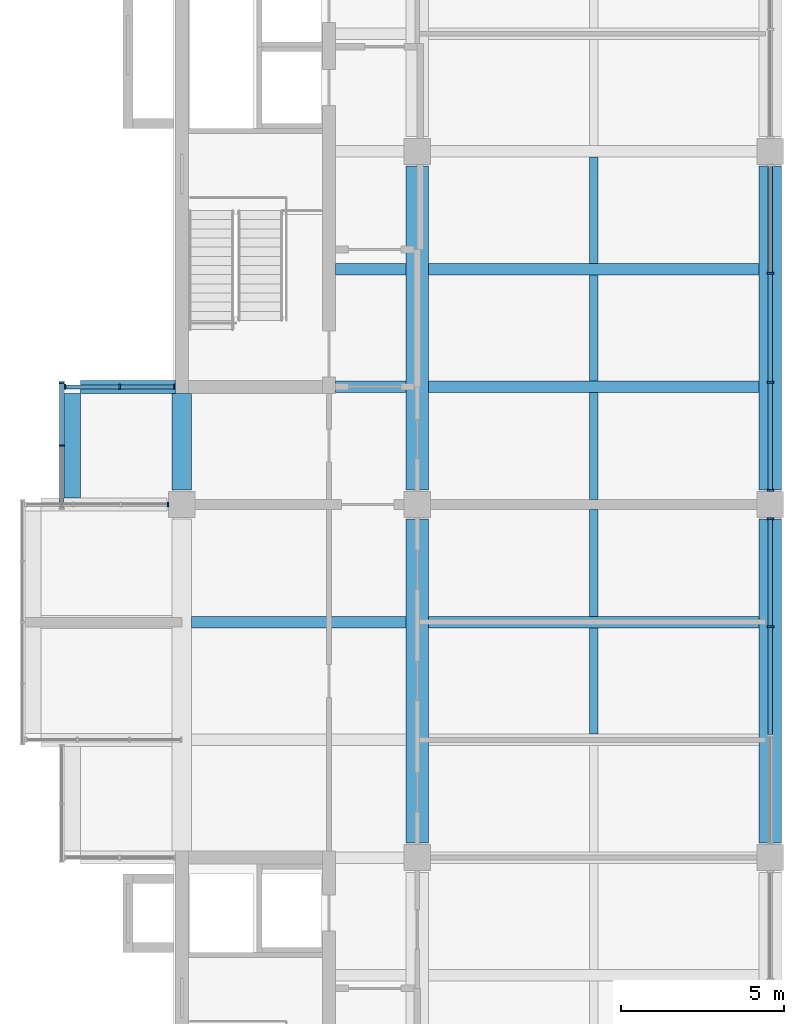
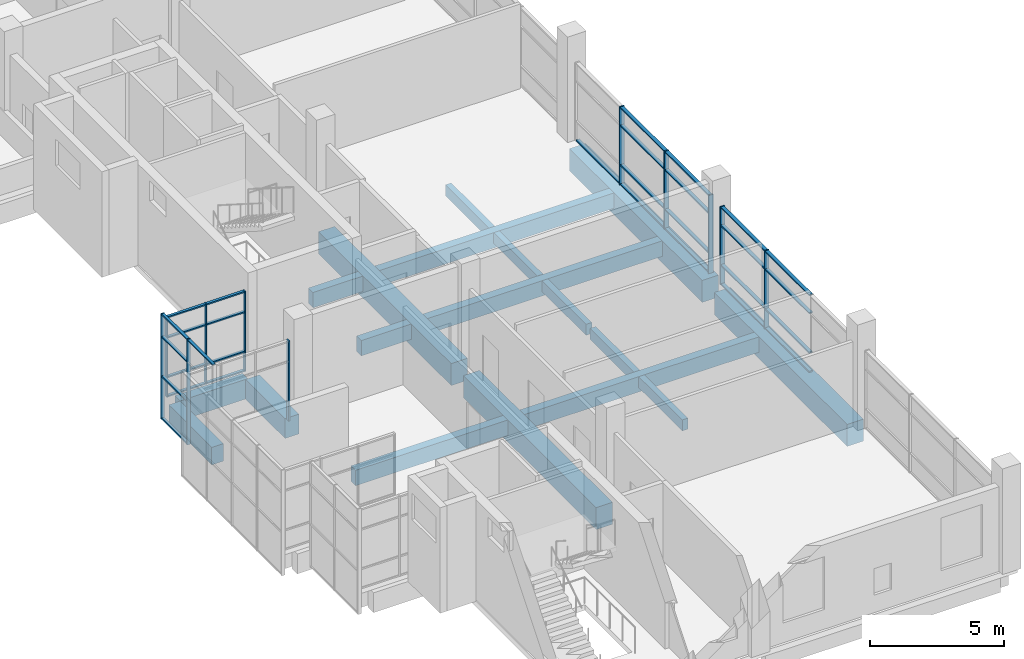
# One storey, part 4 of 14: 41 members, 18 beams, 5 elements without a shape of their own.
"""IFC4 building model written with IfcOpenShell, lengths in metres."""

from ifc_helpers import new_model, si_unit, direction, frame, origin, origin_2d, place, context, subcontext, project, spatial, rectangle, extrude, material, layer, layer_set, material_profile, profile_set, type_object, element, aggregate, save


model = new_model("IFC4")

# Units and contexts
model_context = context("Model", 3, precision=1e-05, world=origin(), true_north=direction((0.0, 1.0)))
body_context = subcontext(model_context, "Body", "Model", "MODEL_VIEW")
ifc_project = project(units=[si_unit("LENGTHUNIT", "METRE"), si_unit("AREAUNIT", "SQUARE_METRE"), si_unit("VOLUMEUNIT", "CUBIC_METRE"), si_unit("PLANEANGLEUNIT", "RADIAN"), si_unit("MASSUNIT", "GRAM", prefix="KILO")], contexts=[model_context])

# Site, building, storey
site_placement = place(None, origin())
site = spatial("IfcSite", under=ifc_project, at=site_placement, CompositionType="ELEMENT")
building_placement = place(site_placement, origin())
building = spatial("IfcBuilding", under=site, at=building_placement, Name="Basin Gate Institute", CompositionType="ELEMENT")
storey_placement = place(building_placement, frame((0.0, 0.0, 60.60009765625)))
storey = spatial("IfcBuildingStorey", under=building, at=storey_placement, Name="L12", CompositionType="ELEMENT", Elevation=60.60009765625)

# Beams
ifc_material_1 = material(Name="Concrete 40 MPa", Category="concrete")
ifc_material_profile_1 = material_profile(ifc_material_1, rectangle(XDim=0.35009765625, YDim=0.699951171875, at=origin_2d()), Name="Beam B1 350 x 700")
ifc_profile_set_1 = profile_set([ifc_material_profile_1], Name="Concrete 40 MPa")
beam_type_1 = type_object("IfcBeamType", Name="Beam B1 R120", PredefinedType="BEAM", material=ifc_profile_set_1)
beam_1_placement = place(storey_placement, frame((68.75, 53.10009765625, -0.60009765625), z_axis=(1.0, 0.0, 0.0), x_axis=(0.0, 1.0, 0.0)))
element("IfcBeam", 1, at=beam_1_placement, inside=storey, type_object=beam_type_1, material=ifc_profile_set_1, Name="BEAM/L12/W/EW/06", PredefinedType="BEAM", context=body_context, shape_type="SweptSolid", body=[
    extrude(rectangle(XDim=0.35009765625, YDim=0.699951171875, at=origin_2d()), origin(), (0.0, 0.0, 1.0), 10.10009765625),
])
beam_2_placement = place(storey_placement, frame((61.5, 53.10009765625, -0.60009765625), z_axis=(1.0, 0.0, 0.0), x_axis=(0.0, 1.0, 0.0)))
element("IfcBeam", 2, at=beam_2_placement, inside=storey, type_object=beam_type_1, material=ifc_profile_set_1, Name="BEAM/L12/W/OUT/06", PredefinedType="BEAM", context=body_context, shape_type="SweptSolid", body=[
    extrude(rectangle(XDim=0.35009765625, YDim=0.699951171875, at=origin_2d()), origin(), (0.0, 0.0, 1.0), 6.550048828125),
])
beam_3_placement = place(storey_placement, frame((68.75, 60.300048828125, -0.60009765625), z_axis=(1.0, 0.0, 0.0), x_axis=(0.0, 1.0, 0.0)))
element("IfcBeam", 3, at=beam_3_placement, inside=storey, type_object=beam_type_1, material=ifc_profile_set_1, Name="BEAM/L12/W/EW/08", PredefinedType="BEAM", context=body_context, shape_type="SweptSolid", body=[
    extrude(rectangle(XDim=0.35009765625, YDim=0.699951171875, at=origin_2d()), origin(), (0.0, 0.0, 1.0), 10.10009765625),
])
beam_4_placement = place(storey_placement, frame((65.89990234375, 60.300048828125, -0.60009765625), z_axis=(1.0, 0.0, 0.0), x_axis=(0.0, 1.0, 0.0)))
element("IfcBeam", 4, at=beam_4_placement, inside=storey, type_object=beam_type_1, material=ifc_profile_set_1, Name="BEAM/L12/W/CORR/08", PredefinedType="BEAM", context=body_context, shape_type="SweptSolid", body=[
    extrude(rectangle(XDim=0.35009765625, YDim=0.699951171875, at=origin_2d()), origin(), (0.0, 0.0, 1.0), 2.150146484375),
])
beam_5_placement = place(storey_placement, frame((68.75, 63.89990234375, -0.60009765625), z_axis=(1.0, 0.0, 0.0), x_axis=(0.0, 1.0, 0.0)))
element("IfcBeam", 5, at=beam_5_placement, inside=storey, type_object=beam_type_1, material=ifc_profile_set_1, Name="BEAM/L12/W/EW/09", PredefinedType="BEAM", context=body_context, shape_type="SweptSolid", body=[
    extrude(rectangle(XDim=0.35009765625, YDim=0.699951171875, at=origin_2d()), origin(), (0.0, 0.0, 1.0), 10.10009765625),
])
beam_6_placement = place(storey_placement, frame((65.89990234375, 63.89990234375, -0.60009765625), z_axis=(1.0, 0.0, 0.0), x_axis=(0.0, 1.0, 0.0)))
element("IfcBeam", 6, at=beam_6_placement, inside=storey, type_object=beam_type_1, material=ifc_profile_set_1, Name="BEAM/L12/W/CORR/09", PredefinedType="BEAM", context=body_context, shape_type="SweptSolid", body=[
    extrude(rectangle(XDim=0.35009765625, YDim=0.699951171875, at=origin_2d()), origin(), (0.0, 0.0, 1.0), 2.150146484375),
])
ifc_material_2 = material(Name="Concrete 50 MPa", Category="concrete")
ifc_material_profile_2 = material_profile(ifc_material_2, rectangle(XDim=0.39990234375, YDim=0.89990234375, at=origin_2d()), Name="Cantilever beam B3 400 x 900")
ifc_profile_set_2 = profile_set([ifc_material_profile_2], Name="Concrete 50 MPa")
beam_type_2 = type_object("IfcBeamType", Name="Cantilever beam B3 R120", PredefinedType="BEAM", material=ifc_profile_set_2)
beam_7_placement = place(storey_placement, frame((58.10009765625, 60.300048828125, -0.7001953125), z_axis=(1.0, 0.0, 0.0), x_axis=(0.0, 1.0, 0.0)))
element("IfcBeam", 7, at=beam_7_placement, inside=storey, type_object=beam_type_2, material=ifc_profile_set_2, Name="BEAM/L12/W/CANT/08", PredefinedType="BEAM", context=body_context, shape_type="SweptSolid", body=[
    extrude(rectangle(XDim=0.39990234375, YDim=0.89990234375, at=origin_2d()), origin(), (0.0, 0.0, 1.0), 2.89990234375),
])
ifc_material_3 = material(Name="Concrete 50 MPa", Category="concrete")
ifc_material_profile_3 = material_profile(ifc_material_3, rectangle(XDim=0.60009765625, YDim=0.89990234375, at=origin_2d()), Name="Edge return beam EB3 600 x 900")
ifc_profile_set_3 = profile_set([ifc_material_profile_3], Name="Concrete 50 MPa")
beam_type_3 = type_object("IfcBeamType", Name="Edge return beam EB3 R120", PredefinedType="SPANDREL", material=ifc_profile_set_3)
beam_8_placement = place(storey_placement, frame((61.199951171875, 57.14990234375, -0.7001953125), z_axis=(0.0, 1.0, 0.0), x_axis=(-1.0, 0.0, 0.0)))
element("IfcBeam", 8, at=beam_8_placement, inside=storey, type_object=beam_type_3, material=ifc_profile_set_3, Name="BEAM/L12/W/EDGE/2", PredefinedType="SPANDREL", context=body_context, shape_type="SweptSolid", body=[
    extrude(rectangle(XDim=0.60009765625, YDim=0.89990234375, at=origin_2d()), origin(), (0.0, 0.0, 1.0), 2.9501953125),
])
ifc_material_4 = material(Name="Concrete 50 MPa", Category="concrete")
ifc_material_profile_4 = material_profile(ifc_material_4, rectangle(XDim=0.699951171875, YDim=1.0, at=origin_2d()), Name="Girder G1 700 x 1000")
ifc_profile_set_4 = profile_set([ifc_material_profile_4], Name="Concrete 50 MPa")
beam_type_4 = type_object("IfcBeamType", Name="Girder G1 R120", PredefinedType="BEAM", material=ifc_profile_set_4)
beam_9_placement = place(storey_placement, frame((68.39990234375, 46.35009765625, -0.75), z_axis=(0.0, 1.0, 0.0), x_axis=(-1.0, 0.0, 0.0)))
element("IfcBeam", 9, at=beam_9_placement, inside=storey, type_object=beam_type_4, material=ifc_profile_set_4, Name="GIR/L12/W5/2", PredefinedType="BEAM", context=body_context, shape_type="SweptSolid", body=[
    extrude(rectangle(XDim=0.699951171875, YDim=1.0, at=origin_2d()), origin(), (0.0, 0.0, 1.0), 9.89990234375),
])
beam_10_placement = place(storey_placement, frame((68.39990234375, 57.14990234375, -0.75), z_axis=(0.0, 1.0, 0.0), x_axis=(-1.0, 0.0, 0.0)))
element("IfcBeam", 10, at=beam_10_placement, inside=storey, type_object=beam_type_4, material=ifc_profile_set_4, Name="GIR/L12/W5/3", PredefinedType="BEAM", context=body_context, shape_type="SweptSolid", body=[
    extrude(rectangle(XDim=0.699951171875, YDim=1.0, at=origin_2d()), origin(), (0.0, 0.0, 1.0), 9.900146484375),
])
beam_11_placement = place(storey_placement, frame((79.199951171875, 46.35009765625, -0.75), z_axis=(0.0, 1.0, 0.0), x_axis=(-1.0, 0.0, 0.0)))
element("IfcBeam", 11, at=beam_11_placement, inside=storey, type_object=beam_type_4, material=ifc_profile_set_4, Name="GIR/L12/W6/2", PredefinedType="BEAM", context=body_context, shape_type="SweptSolid", body=[
    extrude(rectangle(XDim=0.699951171875, YDim=1.0, at=origin_2d()), origin(), (0.0, 0.0, 1.0), 9.89990234375),
])
beam_12_placement = place(storey_placement, frame((79.199951171875, 57.14990234375, -0.75), z_axis=(0.0, 1.0, 0.0), x_axis=(-1.0, 0.0, 0.0)))
element("IfcBeam", 12, at=beam_12_placement, inside=storey, type_object=beam_type_4, material=ifc_profile_set_4, Name="GIR/L12/W6/3", PredefinedType="BEAM", context=body_context, shape_type="SweptSolid", body=[
    extrude(rectangle(XDim=0.699951171875, YDim=1.0, at=origin_2d()), origin(), (0.0, 0.0, 1.0), 9.900146484375),
])

# Curtain wall, member
ifc_material_5 = material(Name="Aluminium-framed glazing", Category="aluminium")
ifc_layer_1 = layer(ifc_material_5, 0.14990234375)
ifc_layer_set_1 = layer_set([ifc_layer_1], Name="Capsule front curtain wall CW1")
curtain_wall_type_1 = type_object("IfcCurtainWallType", Name="Capsule front curtain wall CW1", PredefinedType="NOTDEFINED", material=ifc_layer_set_1)
curtain_wall_1_placement = place(storey_placement, origin())
curtain_wall_1 = element("IfcCurtainWall", 13, at=curtain_wall_1_placement, inside=storey, type_object=curtain_wall_type_1, material=ifc_layer_set_1, Name="Capsule front curtain wall W wing capsule end L12 line 7", PredefinedType="NOTDEFINED")
ifc_material_6 = material(Name="Aluminium", Category="aluminium")
ifc_material_profile_5 = material_profile(ifc_material_6, rectangle(XDim=0.14990234375, YDim=0.050048828125, at=origin_2d()), Name="Mullion MU1 150 x 50")
ifc_profile_set_5 = profile_set([ifc_material_profile_5], Name="Aluminium")
member_type_1 = type_object("IfcMemberType", Name="Mullion MU1", PredefinedType="MULLION", material=ifc_profile_set_5)
member_1_placement = place(storey_placement, frame((60.77490234375, 56.699951171875, 0.0), z_axis=(0.0, 0.0, 1.0), x_axis=(0.0, 1.0, 0.0)))
member_1 = element("IfcMember", 14, at=member_1_placement, type_object=member_type_1, material=ifc_profile_set_5, Name="CW1 mullion 4", PredefinedType="MULLION", context=body_context, shape_type="SweptSolid", body=[
    extrude(rectangle(XDim=0.14990234375, YDim=0.050048828125, at=origin_2d()), origin(), (0.0, 0.0, 1.0), 3.64990234375),
])
aggregate(curtain_wall_1, [member_1])

# Curtain wall, members
curtain_wall_2_placement = place(storey_placement, origin())
curtain_wall_2 = element("IfcCurtainWall", 15, at=curtain_wall_2_placement, inside=storey, type_object=curtain_wall_type_1, material=ifc_layer_set_1, Name="Capsule front curtain wall W wing capsule end L12 line 8", PredefinedType="NOTDEFINED")
member_2_placement = place(storey_placement, frame((57.625, 60.300048828125, 0.0), z_axis=(0.0, 0.0, 1.0), x_axis=(0.0, 1.0, 0.0)))
member_2 = element("IfcMember", 16, at=member_2_placement, type_object=member_type_1, material=ifc_profile_set_5, Name="CW1 mullion 1", PredefinedType="MULLION", context=body_context, shape_type="SweptSolid", body=[
    extrude(rectangle(XDim=0.14990234375, YDim=0.050048828125, at=origin_2d()), origin(), (0.0, 0.0, 1.0), 3.64990234375),
])
member_3_placement = place(storey_placement, frame((59.300048828125, 60.300048828125, 0.0), z_axis=(0.0, 0.0, 1.0), x_axis=(0.0, 1.0, 0.0)))
member_3 = element("IfcMember", 17, at=member_3_placement, type_object=member_type_1, material=ifc_profile_set_5, Name="CW1 mullion 2", PredefinedType="MULLION", context=body_context, shape_type="SweptSolid", body=[
    extrude(rectangle(XDim=0.14990234375, YDim=0.050048828125, at=origin_2d()), origin(), (0.0, 0.0, 1.0), 3.64990234375),
])
member_4_placement = place(storey_placement, frame((60.97509765625, 60.300048828125, 0.0), z_axis=(0.0, 0.0, 1.0), x_axis=(0.0, 1.0, 0.0)))
member_4 = element("IfcMember", 18, at=member_4_placement, type_object=member_type_1, material=ifc_profile_set_5, Name="CW1 mullion 3", PredefinedType="MULLION", context=body_context, shape_type="SweptSolid", body=[
    extrude(rectangle(XDim=0.14990234375, YDim=0.050048828125, at=origin_2d()), origin(), (0.0, 0.0, 1.0), 3.64990234375),
])

curtain_wall_3_placement = place(storey_placement, origin())
curtain_wall_3 = element("IfcCurtainWall", 19, at=curtain_wall_3_placement, inside=storey, type_object=curtain_wall_type_1, material=ifc_layer_set_1, Name="Capsule front curtain wall W wing capsule 1 L12 front 4", PredefinedType="NOTDEFINED")
member_5_placement = place(storey_placement, frame((57.52490234375, 58.5, -1.050048828125), z_axis=(0.0, 0.0, 1.0), x_axis=(-1.0, 0.0, 0.0)))
member_5 = element("IfcMember", 20, at=member_5_placement, type_object=member_type_1, material=ifc_profile_set_5, Name="CW1 mullion 2", PredefinedType="MULLION", context=body_context, shape_type="SweptSolid", body=[
    extrude(rectangle(XDim=0.14990234375, YDim=0.050048828125, at=origin_2d()), origin(), (0.0, 0.0, 1.0), 4.800048828125),
])
member_6_placement = place(storey_placement, frame((57.52490234375, 60.425048828125, -1.050048828125), z_axis=(0.0, 0.0, 1.0), x_axis=(-1.0, 0.0, 0.0)))
member_6 = element("IfcMember", 21, at=member_6_placement, type_object=member_type_1, material=ifc_profile_set_5, Name="CW1 mullion 3", PredefinedType="MULLION", context=body_context, shape_type="SweptSolid", body=[
    extrude(rectangle(XDim=0.14990234375, YDim=0.050048828125, at=origin_2d()), origin(), (0.0, 0.0, 1.0), 4.800048828125),
])

ifc_material_7 = material(Name="Aluminium-framed glazing", Category="aluminium")
ifc_layer_2 = layer(ifc_material_7, 0.199951171875)
ifc_layer_set_2 = layer_set([ifc_layer_2], Name="Atrium curtain wall CW2")
curtain_wall_type_2 = type_object("IfcCurtainWallType", Name="Atrium curtain wall CW2", PredefinedType="NOTDEFINED", material=ifc_layer_set_2)
curtain_wall_4_placement = place(storey_placement, origin())
curtain_wall_4 = element("IfcCurtainWall", 22, at=curtain_wall_4_placement, inside=storey, type_object=curtain_wall_type_2, material=ifc_layer_set_2, Name="Atrium curtain wall W wing atrium bay 2 L12", PredefinedType="NOTDEFINED")
ifc_material_8 = material(Name="Aluminium", Category="aluminium")
ifc_material_profile_6 = material_profile(ifc_material_8, rectangle(XDim=0.199951171875, YDim=0.06005859375, at=origin_2d()), Name="Mullion MU2 200 x 60")
ifc_profile_set_6 = profile_set([ifc_material_profile_6], Name="Aluminium")
member_type_2 = type_object("IfcMemberType", Name="Mullion MU2", PredefinedType="MULLION", material=ifc_profile_set_6)
member_7_placement = place(storey_placement, frame((79.199951171875, 52.966552734375, 0.0), z_axis=(0.0, 0.0, 1.0), x_axis=(-1.0, 0.0, 0.0)))
member_7 = element("IfcMember", 23, at=member_7_placement, type_object=member_type_2, material=ifc_profile_set_6, Name="CW2 mullion 3", PredefinedType="MULLION", context=body_context, shape_type="SweptSolid", body=[
    extrude(rectangle(XDim=0.199951171875, YDim=0.06005859375, at=origin_2d()), origin(), (0.0, 0.0, 1.0), 3.5498046875),
])
member_8_placement = place(storey_placement, frame((79.199951171875, 56.27001953125, 0.0), z_axis=(0.0, 0.0, 1.0), x_axis=(-1.0, 0.0, 0.0)))
member_8 = element("IfcMember", 24, at=member_8_placement, type_object=member_type_2, material=ifc_profile_set_6, Name="CW2 mullion 4", PredefinedType="MULLION", context=body_context, shape_type="SweptSolid", body=[
    extrude(rectangle(XDim=0.199951171875, YDim=0.06005859375, at=origin_2d()), origin(), (0.0, 0.0, 1.0), 3.5498046875),
])

curtain_wall_5_placement = place(storey_placement, origin())
curtain_wall_5 = element("IfcCurtainWall", 25, at=curtain_wall_5_placement, inside=storey, type_object=curtain_wall_type_2, material=ifc_layer_set_2, Name="Atrium curtain wall W wing atrium bay 3 L12", PredefinedType="NOTDEFINED")
member_9_placement = place(storey_placement, frame((79.199951171875, 57.1298828125, 0.0), z_axis=(0.0, 0.0, 1.0), x_axis=(-1.0, 0.0, 0.0)))
member_9 = element("IfcMember", 26, at=member_9_placement, type_object=member_type_2, material=ifc_profile_set_6, Name="CW2 mullion 1", PredefinedType="MULLION", context=body_context, shape_type="SweptSolid", body=[
    extrude(rectangle(XDim=0.199951171875, YDim=0.06005859375, at=origin_2d()), origin(), (0.0, 0.0, 1.0), 3.5498046875),
])
member_10_placement = place(storey_placement, frame((79.199951171875, 60.433349609375, 0.0), z_axis=(0.0, 0.0, 1.0), x_axis=(-1.0, 0.0, 0.0)))
member_10 = element("IfcMember", 27, at=member_10_placement, type_object=member_type_2, material=ifc_profile_set_6, Name="CW2 mullion 2", PredefinedType="MULLION", context=body_context, shape_type="SweptSolid", body=[
    extrude(rectangle(XDim=0.199951171875, YDim=0.06005859375, at=origin_2d()), origin(), (0.0, 0.0, 1.0), 3.5498046875),
])
member_11_placement = place(storey_placement, frame((79.199951171875, 63.7666015625, 0.0), z_axis=(0.0, 0.0, 1.0), x_axis=(-1.0, 0.0, 0.0)))
member_11 = element("IfcMember", 28, at=member_11_placement, type_object=member_type_2, material=ifc_profile_set_6, Name="CW2 mullion 3", PredefinedType="MULLION", context=body_context, shape_type="SweptSolid", body=[
    extrude(rectangle(XDim=0.199951171875, YDim=0.06005859375, at=origin_2d()), origin(), (0.0, 0.0, 1.0), 3.5498046875),
])

# Beams
ifc_material_9 = material(Name="Concrete 40 MPa", Category="concrete")
ifc_material_profile_7 = material_profile(ifc_material_9, rectangle(XDim=0.25, YDim=0.5, at=origin_2d()), Name="Rib R1 250 x 500")
ifc_profile_set_7 = profile_set([ifc_material_profile_7], Name="Concrete 40 MPa")
beam_type_5 = type_object("IfcBeamType", Name="Rib R1 R120", PredefinedType="JOIST", material=ifc_profile_set_7)
beam_13_placement = place(storey_placement, frame((73.800048828125, 49.675048828125, -0.5), z_axis=(0.0, 1.0, 0.0), x_axis=(-1.0, 0.0, 0.0)))
element("IfcBeam", 29, at=beam_13_placement, inside=storey, type_object=beam_type_5, material=ifc_profile_set_7, Name="BEAM/L12/W/RIB/05", PredefinedType="JOIST", context=body_context, shape_type="SweptSolid", body=[
    extrude(rectangle(XDim=0.25, YDim=0.5, at=origin_2d()), origin(), (0.0, 0.0, 1.0), 3.25),
])
beam_14_placement = place(storey_placement, frame((73.800048828125, 53.27490234375, -0.5), z_axis=(0.0, 1.0, 0.0), x_axis=(-1.0, 0.0, 0.0)))
element("IfcBeam", 30, at=beam_14_placement, inside=storey, type_object=beam_type_5, material=ifc_profile_set_7, Name="BEAM/L12/W/RIB/06", PredefinedType="JOIST", context=body_context, shape_type="SweptSolid", body=[
    extrude(rectangle(XDim=0.25, YDim=0.5, at=origin_2d()), origin(), (0.0, 0.0, 1.0), 3.275146484375),
])
beam_15_placement = place(storey_placement, frame((73.800048828125, 56.85009765625, -0.5), z_axis=(0.0, 1.0, 0.0), x_axis=(-1.0, 0.0, 0.0)))
element("IfcBeam", 31, at=beam_15_placement, inside=storey, type_object=beam_type_5, material=ifc_profile_set_7, Name="BEAM/L12/W/RIB/07", PredefinedType="JOIST", context=body_context, shape_type="SweptSolid", body=[
    extrude(rectangle(XDim=0.25, YDim=0.5, at=origin_2d()), origin(), (0.0, 0.0, 1.0), 3.27490234375),
])
for number, where, z_axis, x_axis, name in (
    (32, (73.800048828125, 60.47509765625, -0.5), (0.0, 1.0, 0.0), (-1.0, 0.0, 0.0), "BEAM/L12/W/RIB/08"),
    (33, (73.800048828125, 64.074951171875, -0.5), (0.0, 1.0, 0.0), (-1.0, 0.0, 0.0), "BEAM/L12/W/RIB/09"),
):
    element("IfcBeam", number, at=place(storey_placement, frame(where, z_axis=z_axis, x_axis=x_axis)), inside=storey, type_object=beam_type_5, material=ifc_profile_set_7, Name=name, PredefinedType="JOIST", context=body_context, shape_type="SweptSolid", body=[
        extrude(rectangle(XDim=0.25, YDim=0.5, at=origin_2d()), origin(), (0.0, 0.0, 1.0), 3.25),
    ])
ifc_material_10 = material(Name="Concrete 50 MPa", Category="concrete")
ifc_material_profile_8 = material_profile(ifc_material_10, rectangle(XDim=0.5, YDim=0.800048828125, at=origin_2d()), Name="Tip beam TB1 500 x 800")
ifc_profile_set_8 = profile_set([ifc_material_profile_8], Name="Concrete 50 MPa")
beam_type_6 = type_object("IfcBeamType", Name="Tip beam TB1 R120", PredefinedType="SPANDREL", material=ifc_profile_set_8)
beam_16_placement = place(storey_placement, frame((57.85009765625, 56.89990234375, -0.650146484375), z_axis=(0.0, 1.0, 0.0), x_axis=(-1.0, 0.0, 0.0)))
element("IfcBeam", 34, at=beam_16_placement, inside=storey, type_object=beam_type_6, material=ifc_profile_set_8, Name="BEAM/L12/W/TIP/4", PredefinedType="SPANDREL", context=body_context, shape_type="SweptSolid", body=[
    extrude(rectangle(XDim=0.5, YDim=0.800048828125, at=origin_2d()), origin(), (0.0, 0.0, 1.0), 3.2001953125),
])

# Member
ifc_material_11 = material(Name="Aluminium", Category="aluminium")
ifc_material_profile_9 = material_profile(ifc_material_11, rectangle(XDim=0.1201171875, YDim=0.06005859375, at=origin_2d()), Name="Transom TR1 120 x 60")
ifc_profile_set_9 = profile_set([ifc_material_profile_9], Name="Aluminium")
member_type_3 = type_object("IfcMemberType", Name="Transom TR1", PredefinedType="USERDEFINED", material=ifc_profile_set_9)
member_12_placement = place(storey_placement, frame((57.64990234375, 60.300048828125, 0.02978515625), z_axis=(1.0, 0.0, 0.0), x_axis=(0.0, 1.0, 0.0)))
member_12 = element("IfcMember", 35, at=member_12_placement, type_object=member_type_3, material=ifc_profile_set_9, Name="CW1 transom 1.1", ObjectType="TRANSOM", PredefinedType="USERDEFINED", context=body_context, shape_type="SweptSolid", body=[
    extrude(rectangle(XDim=0.1201171875, YDim=0.06005859375, at=origin_2d()), origin(), (0.0, 0.0, 1.0), 1.625),
])

member_13_placement = place(storey_placement, frame((57.64990234375, 60.300048828125, 0.89990234375), z_axis=(1.0, 0.0, 0.0), x_axis=(0.0, 1.0, 0.0)))
member_13 = element("IfcMember", 36, at=member_13_placement, type_object=member_type_3, material=ifc_profile_set_9, Name="CW1 transom 1.2", ObjectType="TRANSOM", PredefinedType="USERDEFINED", context=body_context, shape_type="SweptSolid", body=[
    extrude(rectangle(XDim=0.1201171875, YDim=0.06005859375, at=origin_2d()), origin(), (0.0, 0.0, 1.0), 1.625),
])

member_14_placement = place(storey_placement, frame((57.64990234375, 60.300048828125, 2.699951171875), z_axis=(1.0, 0.0, 0.0), x_axis=(0.0, 1.0, 0.0)))
member_14 = element("IfcMember", 37, at=member_14_placement, type_object=member_type_3, material=ifc_profile_set_9, Name="CW1 transom 1.3", ObjectType="TRANSOM", PredefinedType="USERDEFINED", context=body_context, shape_type="SweptSolid", body=[
    extrude(rectangle(XDim=0.1201171875, YDim=0.06005859375, at=origin_2d()), origin(), (0.0, 0.0, 1.0), 1.625),
])

member_15_placement = place(storey_placement, frame((57.64990234375, 60.300048828125, 3.619873046875), z_axis=(1.0, 0.0, 0.0), x_axis=(0.0, 1.0, 0.0)))
member_15 = element("IfcMember", 38, at=member_15_placement, type_object=member_type_3, material=ifc_profile_set_9, Name="CW1 transom 1.4", ObjectType="TRANSOM", PredefinedType="USERDEFINED", context=body_context, shape_type="SweptSolid", body=[
    extrude(rectangle(XDim=0.1201171875, YDim=0.06005859375, at=origin_2d()), origin(), (0.0, 0.0, 1.0), 1.625),
])

member_16_placement = place(storey_placement, frame((59.324951171875, 60.300048828125, 0.02978515625), z_axis=(1.0, 0.0, 0.0), x_axis=(0.0, 1.0, 0.0)))
member_16 = element("IfcMember", 39, at=member_16_placement, type_object=member_type_3, material=ifc_profile_set_9, Name="CW1 transom 2.1", ObjectType="TRANSOM", PredefinedType="USERDEFINED", context=body_context, shape_type="SweptSolid", body=[
    extrude(rectangle(XDim=0.1201171875, YDim=0.06005859375, at=origin_2d()), origin(), (0.0, 0.0, 1.0), 1.625),
])

member_17_placement = place(storey_placement, frame((59.324951171875, 60.300048828125, 0.89990234375), z_axis=(1.0, 0.0, 0.0), x_axis=(0.0, 1.0, 0.0)))
member_17 = element("IfcMember", 40, at=member_17_placement, type_object=member_type_3, material=ifc_profile_set_9, Name="CW1 transom 2.2", ObjectType="TRANSOM", PredefinedType="USERDEFINED", context=body_context, shape_type="SweptSolid", body=[
    extrude(rectangle(XDim=0.1201171875, YDim=0.06005859375, at=origin_2d()), origin(), (0.0, 0.0, 1.0), 1.625),
])

member_18_placement = place(storey_placement, frame((59.324951171875, 60.300048828125, 2.699951171875), z_axis=(1.0, 0.0, 0.0), x_axis=(0.0, 1.0, 0.0)))
member_18 = element("IfcMember", 41, at=member_18_placement, type_object=member_type_3, material=ifc_profile_set_9, Name="CW1 transom 2.3", ObjectType="TRANSOM", PredefinedType="USERDEFINED", context=body_context, shape_type="SweptSolid", body=[
    extrude(rectangle(XDim=0.1201171875, YDim=0.06005859375, at=origin_2d()), origin(), (0.0, 0.0, 1.0), 1.625),
])

member_19_placement = place(storey_placement, frame((59.324951171875, 60.300048828125, 3.619873046875), z_axis=(1.0, 0.0, 0.0), x_axis=(0.0, 1.0, 0.0)))
member_19 = element("IfcMember", 42, at=member_19_placement, type_object=member_type_3, material=ifc_profile_set_9, Name="CW1 transom 2.4", ObjectType="TRANSOM", PredefinedType="USERDEFINED", context=body_context, shape_type="SweptSolid", body=[
    extrude(rectangle(XDim=0.1201171875, YDim=0.06005859375, at=origin_2d()), origin(), (0.0, 0.0, 1.0), 1.625),
])

aggregate(curtain_wall_2, [member_2, member_3, member_4, member_12, member_13, member_14, member_15, member_16, member_17, member_18, member_19])

member_20_placement = place(storey_placement, frame((57.52490234375, 56.60009765625, 3.719970703125), z_axis=(0.0, 1.0, 0.0), x_axis=(-1.0, 0.0, 0.0)))
member_20 = element("IfcMember", 43, at=member_20_placement, type_object=member_type_3, material=ifc_profile_set_9, Name="CW1 transom 1.4", ObjectType="TRANSOM", PredefinedType="USERDEFINED", context=body_context, shape_type="SweptSolid", body=[
    extrude(rectangle(XDim=0.1201171875, YDim=0.06005859375, at=origin_2d()), origin(), (0.0, 0.0, 1.0), 1.875),
])

member_21_placement = place(storey_placement, frame((57.52490234375, 58.52490234375, -1.02001953125), z_axis=(0.0, 1.0, 0.0), x_axis=(-1.0, 0.0, 0.0)))
member_21 = element("IfcMember", 44, at=member_21_placement, type_object=member_type_3, material=ifc_profile_set_9, Name="CW1 transom 2.1", ObjectType="TRANSOM", PredefinedType="USERDEFINED", context=body_context, shape_type="SweptSolid", body=[
    extrude(rectangle(XDim=0.1201171875, YDim=0.06005859375, at=origin_2d()), origin(), (0.0, 0.0, 1.0), 1.875),
])

member_22_placement = place(storey_placement, frame((57.52490234375, 58.52490234375, 0.89990234375), z_axis=(0.0, 1.0, 0.0), x_axis=(-1.0, 0.0, 0.0)))
member_22 = element("IfcMember", 45, at=member_22_placement, type_object=member_type_3, material=ifc_profile_set_9, Name="CW1 transom 2.2", ObjectType="TRANSOM", PredefinedType="USERDEFINED", context=body_context, shape_type="SweptSolid", body=[
    extrude(rectangle(XDim=0.1201171875, YDim=0.06005859375, at=origin_2d()), origin(), (0.0, 0.0, 1.0), 1.875),
])

member_23_placement = place(storey_placement, frame((57.52490234375, 58.52490234375, 2.699951171875), z_axis=(0.0, 1.0, 0.0), x_axis=(-1.0, 0.0, 0.0)))
member_23 = element("IfcMember", 46, at=member_23_placement, type_object=member_type_3, material=ifc_profile_set_9, Name="CW1 transom 2.3", ObjectType="TRANSOM", PredefinedType="USERDEFINED", context=body_context, shape_type="SweptSolid", body=[
    extrude(rectangle(XDim=0.1201171875, YDim=0.06005859375, at=origin_2d()), origin(), (0.0, 0.0, 1.0), 1.875),
])

member_24_placement = place(storey_placement, frame((57.52490234375, 58.52490234375, 3.719970703125), z_axis=(0.0, 1.0, 0.0), x_axis=(-1.0, 0.0, 0.0)))
member_24 = element("IfcMember", 47, at=member_24_placement, type_object=member_type_3, material=ifc_profile_set_9, Name="CW1 transom 2.4", ObjectType="TRANSOM", PredefinedType="USERDEFINED", context=body_context, shape_type="SweptSolid", body=[
    extrude(rectangle(XDim=0.1201171875, YDim=0.06005859375, at=origin_2d()), origin(), (0.0, 0.0, 1.0), 1.875),
])

aggregate(curtain_wall_3, [member_5, member_6, member_20, member_21, member_22, member_23, member_24])

ifc_material_12 = material(Name="Aluminium", Category="aluminium")
ifc_material_profile_10 = material_profile(ifc_material_12, rectangle(XDim=0.14990234375, YDim=0.06005859375, at=origin_2d()), Name="Transom TR2 150 x 60")
ifc_profile_set_10 = profile_set([ifc_material_profile_10], Name="Aluminium")
member_type_4 = type_object("IfcMemberType", Name="Transom TR2", PredefinedType="USERDEFINED", material=ifc_profile_set_10)
member_25_placement = place(storey_placement, frame((79.199951171875, 49.663330078125, 0.02978515625), z_axis=(0.0, 1.0, 0.0), x_axis=(-1.0, 0.0, 0.0)))
member_25 = element("IfcMember", 48, at=member_25_placement, type_object=member_type_4, material=ifc_profile_set_10, Name="CW2 transom 2.1", ObjectType="TRANSOM", PredefinedType="USERDEFINED", context=body_context, shape_type="SweptSolid", body=[
    extrude(rectangle(XDim=0.14990234375, YDim=0.06005859375, at=origin_2d()), origin(), (0.0, 0.0, 1.0), 3.2734375),
])

member_26_placement = place(storey_placement, frame((79.199951171875, 49.663330078125, 0.89990234375), z_axis=(0.0, 1.0, 0.0), x_axis=(-1.0, 0.0, 0.0)))
member_26 = element("IfcMember", 49, at=member_26_placement, type_object=member_type_4, material=ifc_profile_set_10, Name="CW2 transom 2.2", ObjectType="TRANSOM", PredefinedType="USERDEFINED", context=body_context, shape_type="SweptSolid", body=[
    extrude(rectangle(XDim=0.14990234375, YDim=0.06005859375, at=origin_2d()), origin(), (0.0, 0.0, 1.0), 3.2734375),
])

member_27_placement = place(storey_placement, frame((79.199951171875, 49.663330078125, 2.699951171875), z_axis=(0.0, 1.0, 0.0), x_axis=(-1.0, 0.0, 0.0)))
member_27 = element("IfcMember", 50, at=member_27_placement, type_object=member_type_4, material=ifc_profile_set_10, Name="CW2 transom 2.3", ObjectType="TRANSOM", PredefinedType="USERDEFINED", context=body_context, shape_type="SweptSolid", body=[
    extrude(rectangle(XDim=0.14990234375, YDim=0.06005859375, at=origin_2d()), origin(), (0.0, 0.0, 1.0), 3.2734375),
])

member_28_placement = place(storey_placement, frame((79.199951171875, 49.663330078125, 3.52001953125), z_axis=(0.0, 1.0, 0.0), x_axis=(-1.0, 0.0, 0.0)))
member_28 = element("IfcMember", 51, at=member_28_placement, type_object=member_type_4, material=ifc_profile_set_10, Name="CW2 transom 2.4", ObjectType="TRANSOM", PredefinedType="USERDEFINED", context=body_context, shape_type="SweptSolid", body=[
    extrude(rectangle(XDim=0.14990234375, YDim=0.06005859375, at=origin_2d()), origin(), (0.0, 0.0, 1.0), 3.2734375),
])

member_29_placement = place(storey_placement, frame((79.199951171875, 52.99658203125, 0.02978515625), z_axis=(0.0, 1.0, 0.0), x_axis=(-1.0, 0.0, 0.0)))
member_29 = element("IfcMember", 52, at=member_29_placement, type_object=member_type_4, material=ifc_profile_set_10, Name="CW2 transom 3.1", ObjectType="TRANSOM", PredefinedType="USERDEFINED", context=body_context, shape_type="SweptSolid", body=[
    extrude(rectangle(XDim=0.14990234375, YDim=0.06005859375, at=origin_2d()), origin(), (0.0, 0.0, 1.0), 3.243408203125),
])

member_30_placement = place(storey_placement, frame((79.199951171875, 52.99658203125, 0.89990234375), z_axis=(0.0, 1.0, 0.0), x_axis=(-1.0, 0.0, 0.0)))
member_30 = element("IfcMember", 53, at=member_30_placement, type_object=member_type_4, material=ifc_profile_set_10, Name="CW2 transom 3.2", ObjectType="TRANSOM", PredefinedType="USERDEFINED", context=body_context, shape_type="SweptSolid", body=[
    extrude(rectangle(XDim=0.14990234375, YDim=0.06005859375, at=origin_2d()), origin(), (0.0, 0.0, 1.0), 3.243408203125),
])

member_31_placement = place(storey_placement, frame((79.199951171875, 52.99658203125, 2.699951171875), z_axis=(0.0, 1.0, 0.0), x_axis=(-1.0, 0.0, 0.0)))
member_31 = element("IfcMember", 54, at=member_31_placement, type_object=member_type_4, material=ifc_profile_set_10, Name="CW2 transom 3.3", ObjectType="TRANSOM", PredefinedType="USERDEFINED", context=body_context, shape_type="SweptSolid", body=[
    extrude(rectangle(XDim=0.14990234375, YDim=0.06005859375, at=origin_2d()), origin(), (0.0, 0.0, 1.0), 3.243408203125),
])

member_32_placement = place(storey_placement, frame((79.199951171875, 52.99658203125, 3.52001953125), z_axis=(0.0, 1.0, 0.0), x_axis=(-1.0, 0.0, 0.0)))
member_32 = element("IfcMember", 55, at=member_32_placement, type_object=member_type_4, material=ifc_profile_set_10, Name="CW2 transom 3.4", ObjectType="TRANSOM", PredefinedType="USERDEFINED", context=body_context, shape_type="SweptSolid", body=[
    extrude(rectangle(XDim=0.14990234375, YDim=0.06005859375, at=origin_2d()), origin(), (0.0, 0.0, 1.0), 3.243408203125),
])

aggregate(curtain_wall_4, [member_7, member_8, member_25, member_26, member_27, member_28, member_29, member_30, member_31, member_32])

member_33_placement = place(storey_placement, frame((79.199951171875, 57.159912109375, 0.02978515625), z_axis=(0.0, 1.0, 0.0), x_axis=(-1.0, 0.0, 0.0)))
member_33 = element("IfcMember", 56, at=member_33_placement, type_object=member_type_4, material=ifc_profile_set_10, Name="CW2 transom 1.1", ObjectType="TRANSOM", PredefinedType="USERDEFINED", context=body_context, shape_type="SweptSolid", body=[
    extrude(rectangle(XDim=0.14990234375, YDim=0.06005859375, at=origin_2d()), origin(), (0.0, 0.0, 1.0), 3.243408203125),
])

member_34_placement = place(storey_placement, frame((79.199951171875, 57.159912109375, 0.89990234375), z_axis=(0.0, 1.0, 0.0), x_axis=(-1.0, 0.0, 0.0)))
member_34 = element("IfcMember", 57, at=member_34_placement, type_object=member_type_4, material=ifc_profile_set_10, Name="CW2 transom 1.2", ObjectType="TRANSOM", PredefinedType="USERDEFINED", context=body_context, shape_type="SweptSolid", body=[
    extrude(rectangle(XDim=0.14990234375, YDim=0.06005859375, at=origin_2d()), origin(), (0.0, 0.0, 1.0), 3.243408203125),
])

member_35_placement = place(storey_placement, frame((79.199951171875, 57.159912109375, 2.699951171875), z_axis=(0.0, 1.0, 0.0), x_axis=(-1.0, 0.0, 0.0)))
member_35 = element("IfcMember", 58, at=member_35_placement, type_object=member_type_4, material=ifc_profile_set_10, Name="CW2 transom 1.3", ObjectType="TRANSOM", PredefinedType="USERDEFINED", context=body_context, shape_type="SweptSolid", body=[
    extrude(rectangle(XDim=0.14990234375, YDim=0.06005859375, at=origin_2d()), origin(), (0.0, 0.0, 1.0), 3.243408203125),
])

member_36_placement = place(storey_placement, frame((79.199951171875, 57.159912109375, 3.52001953125), z_axis=(0.0, 1.0, 0.0), x_axis=(-1.0, 0.0, 0.0)))
member_36 = element("IfcMember", 59, at=member_36_placement, type_object=member_type_4, material=ifc_profile_set_10, Name="CW2 transom 1.4", ObjectType="TRANSOM", PredefinedType="USERDEFINED", context=body_context, shape_type="SweptSolid", body=[
    extrude(rectangle(XDim=0.14990234375, YDim=0.06005859375, at=origin_2d()), origin(), (0.0, 0.0, 1.0), 3.243408203125),
])

member_37_placement = place(storey_placement, frame((79.199951171875, 60.46337890625, 0.02978515625), z_axis=(0.0, 1.0, 0.0), x_axis=(-1.0, 0.0, 0.0)))
member_37 = element("IfcMember", 60, at=member_37_placement, type_object=member_type_4, material=ifc_profile_set_10, Name="CW2 transom 2.1", ObjectType="TRANSOM", PredefinedType="USERDEFINED", context=body_context, shape_type="SweptSolid", body=[
    extrude(rectangle(XDim=0.14990234375, YDim=0.06005859375, at=origin_2d()), origin(), (0.0, 0.0, 1.0), 3.273193359375),
])

member_38_placement = place(storey_placement, frame((79.199951171875, 60.46337890625, 0.89990234375), z_axis=(0.0, 1.0, 0.0), x_axis=(-1.0, 0.0, 0.0)))
member_38 = element("IfcMember", 61, at=member_38_placement, type_object=member_type_4, material=ifc_profile_set_10, Name="CW2 transom 2.2", ObjectType="TRANSOM", PredefinedType="USERDEFINED", context=body_context, shape_type="SweptSolid", body=[
    extrude(rectangle(XDim=0.14990234375, YDim=0.06005859375, at=origin_2d()), origin(), (0.0, 0.0, 1.0), 3.273193359375),
])

member_39_placement = place(storey_placement, frame((79.199951171875, 60.46337890625, 2.699951171875), z_axis=(0.0, 1.0, 0.0), x_axis=(-1.0, 0.0, 0.0)))
member_39 = element("IfcMember", 62, at=member_39_placement, type_object=member_type_4, material=ifc_profile_set_10, Name="CW2 transom 2.3", ObjectType="TRANSOM", PredefinedType="USERDEFINED", context=body_context, shape_type="SweptSolid", body=[
    extrude(rectangle(XDim=0.14990234375, YDim=0.06005859375, at=origin_2d()), origin(), (0.0, 0.0, 1.0), 3.273193359375),
])

member_40_placement = place(storey_placement, frame((79.199951171875, 60.46337890625, 3.52001953125), z_axis=(0.0, 1.0, 0.0), x_axis=(-1.0, 0.0, 0.0)))
member_40 = element("IfcMember", 63, at=member_40_placement, type_object=member_type_4, material=ifc_profile_set_10, Name="CW2 transom 2.4", ObjectType="TRANSOM", PredefinedType="USERDEFINED", context=body_context, shape_type="SweptSolid", body=[
    extrude(rectangle(XDim=0.14990234375, YDim=0.06005859375, at=origin_2d()), origin(), (0.0, 0.0, 1.0), 3.273193359375),
])

member_41_placement = place(storey_placement, frame((79.199951171875, 63.796630859375, 0.02978515625), z_axis=(0.0, 1.0, 0.0), x_axis=(-1.0, 0.0, 0.0)))
member_41 = element("IfcMember", 64, at=member_41_placement, type_object=member_type_4, material=ifc_profile_set_10, Name="CW2 transom 3.1", ObjectType="TRANSOM", PredefinedType="USERDEFINED", context=body_context, shape_type="SweptSolid", body=[
    extrude(rectangle(XDim=0.14990234375, YDim=0.06005859375, at=origin_2d()), origin(), (0.0, 0.0, 1.0), 3.243408203125),
])

aggregate(curtain_wall_5, [member_9, member_10, member_11, member_33, member_34, member_35, member_36, member_37, member_38, member_39, member_40, member_41])

save(model, "model.ifc")
